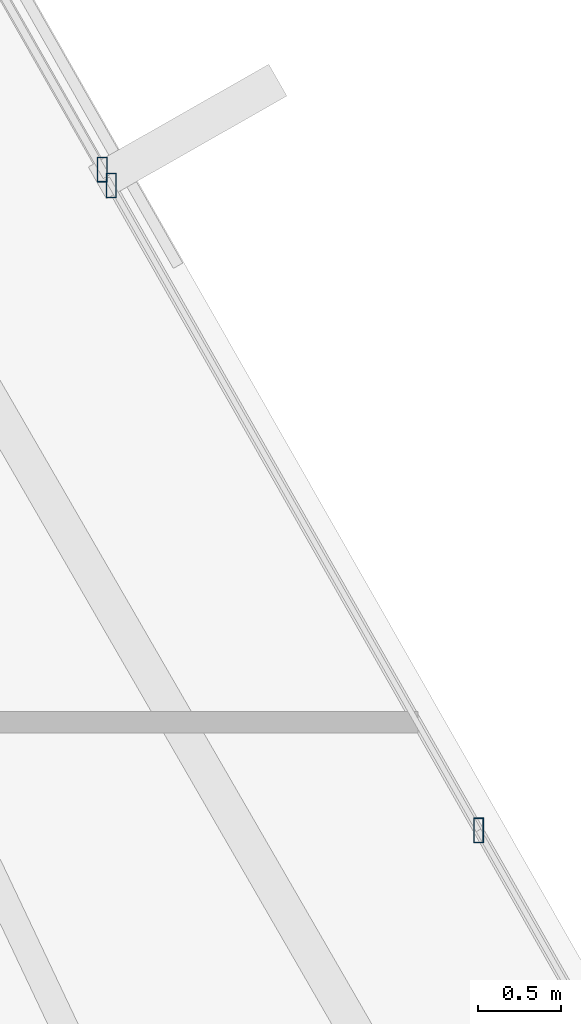
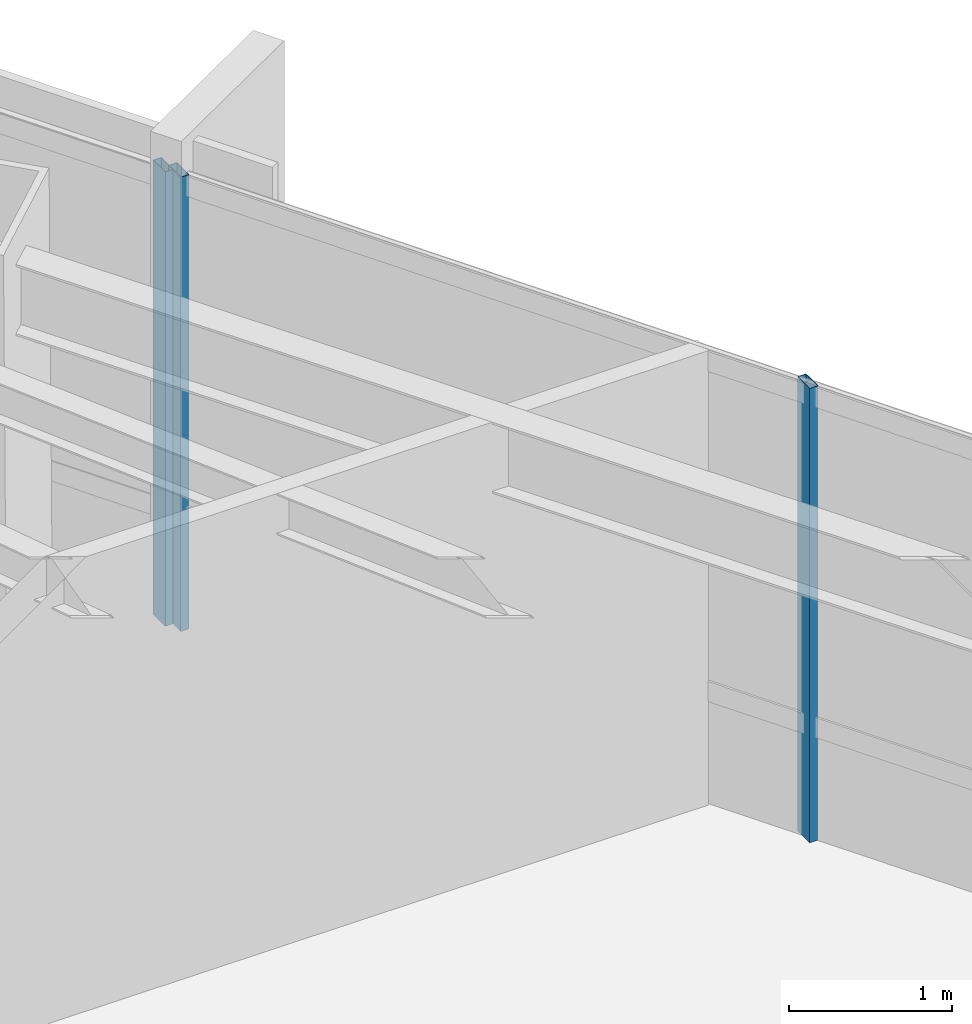
# One storey, part 23 of 38: 3 members, 2 elements without a shape of their own.
"""IFC4 building model written with IfcOpenShell, lengths in metres."""

from ifc_helpers import new_model, si_unit, direction, frame, origin, origin_2d, place, context, subcontext, project, spatial, hollow_rectangle, extrude, source, transform, mapped, material, material_profile, profile_set, type_object, type_shapes, element, aggregate, save


model = new_model("IFC4")

# Units and contexts
model_context = context("Model", 3, precision=1e-05, world=origin(), true_north=direction((0.0, 1.0)))
body_context = subcontext(model_context, "Body", "Model", "MODEL_VIEW")
ifc_project = project(units=[si_unit("LENGTHUNIT", "METRE"), si_unit("AREAUNIT", "SQUARE_METRE"), si_unit("VOLUMEUNIT", "CUBIC_METRE"), si_unit("PLANEANGLEUNIT", "RADIAN"), si_unit("MASSUNIT", "GRAM", prefix="KILO")], contexts=[model_context])

# Site, building, storey
site_placement = place(None, origin())
site = spatial("IfcSite", under=ifc_project, at=site_placement, CompositionType="ELEMENT")
building_placement = place(site_placement, origin())
building = spatial("IfcBuilding", under=site, at=building_placement, Name="Caelisora Broadcast Tower", CompositionType="ELEMENT")
storey_placement = place(building_placement, frame((0.0, 0.0, 158.5)))
storey = spatial("IfcBuildingStorey", under=building, at=storey_placement, Name="L41", CompositionType="ELEMENT", Elevation=158.5)

# Curtain wall, member
ifc_material_1 = material(Name="Unitised Aluminium Insulated Shadow-Box Spandrel Curtain Wall", Category="aluminium")
curtain_wall_type_1 = type_object("IfcCurtainWallType", Name="CW-SP2", PredefinedType="NOTDEFINED", material=ifc_material_1)
curtain_wall_1_placement = place(storey_placement, origin())
curtain_wall_1 = element("IfcCurtainWall", 1, at=curtain_wall_1_placement, inside=storey, type_object=curtain_wall_type_1, Name="L41 curtain wall CW-SP2", PredefinedType="NOTDEFINED")
ifc_material_2 = material(Name="Aluminium 6063-T6 Anodised Terracotta Bronze", Category="aluminium")
ifc_material_profile = material_profile(ifc_material_2, hollow_rectangle(XDim=0.06005859375, YDim=0.14990234375, WallThickness=0.00341796875, at=origin_2d()), Name="Aluminium 6063-T6 Anodised Terracotta Bronze")
ifc_profile_set = profile_set([ifc_material_profile], Name="Aluminium 6063-T6 Anodised Terracotta Bronze")
member_type = type_object("IfcMemberType", Name="CWM-03", PredefinedType="MULLION", material=ifc_profile_set)
shared_shape = source(origin(), body_context, "Body", "SweptSolid", [
    extrude(hollow_rectangle(XDim=0.06005859375, YDim=0.14990234375, WallThickness=0.00341796875, at=origin_2d()), origin(), (0.0, 0.0, 1.0), 3.39990234375),
])
type_shapes(member_type, [shared_shape])
member_1_placement = place(storey_placement, frame((56.54150390625, 27.4970703125, 0.0), z_axis=(0.0, 0.0, 1.0), x_axis=(1.0, 0.0, 0.0)))
member_1 = element("IfcMember", 2, at=member_1_placement, type_object=member_type, Name="L41-CW-B02 mullion #3", PredefinedType="MULLION", context=body_context, shape_type="MappedRepresentation", body=[
    mapped(shared_shape, transform((0.0, 0.0, 0.0), scale=1.0)),
])
aggregate(curtain_wall_1, [member_1])

# Curtain wall, members
ifc_material_3 = material(Name="Unitised Aluminium and Low-E Glass Curtain Wall", Category="glass")
curtain_wall_type_2 = type_object("IfcCurtainWallType", Name="CW-Z3", PredefinedType="NOTDEFINED", material=ifc_material_3)
curtain_wall_2_placement = place(storey_placement, origin())
curtain_wall_2 = element("IfcCurtainWall", 3, at=curtain_wall_2_placement, inside=storey, type_object=curtain_wall_type_2, Name="L41 curtain wall CW-Z3", PredefinedType="NOTDEFINED")
member_2_placement = place(storey_placement, frame((56.595947265625, 27.401611328125, 0.0), z_axis=(0.0, 0.0, 1.0), x_axis=(1.0, 0.0, 0.0)))
member_2 = element("IfcMember", 4, at=member_2_placement, type_object=member_type, Name="L41-CW-B03 mullion #0", PredefinedType="MULLION", context=body_context, shape_type="MappedRepresentation", body=[
    mapped(shared_shape, transform((0.0, 0.0, 0.0), scale=1.0)),
])
member_3_placement = place(storey_placement, frame((58.806396484375, 23.51953125, 0.0), z_axis=(0.0, 0.0, 1.0), x_axis=(1.0, 0.0, 0.0)))
member_3 = element("IfcMember", 5, at=member_3_placement, type_object=member_type, Name="L41-CW-B03 mullion #1", PredefinedType="MULLION", context=body_context, shape_type="MappedRepresentation", body=[
    mapped(shared_shape, transform((0.0, 0.0, 0.0), scale=1.0)),
])
aggregate(curtain_wall_2, [member_2, member_3])

save(model, "model.ifc")
